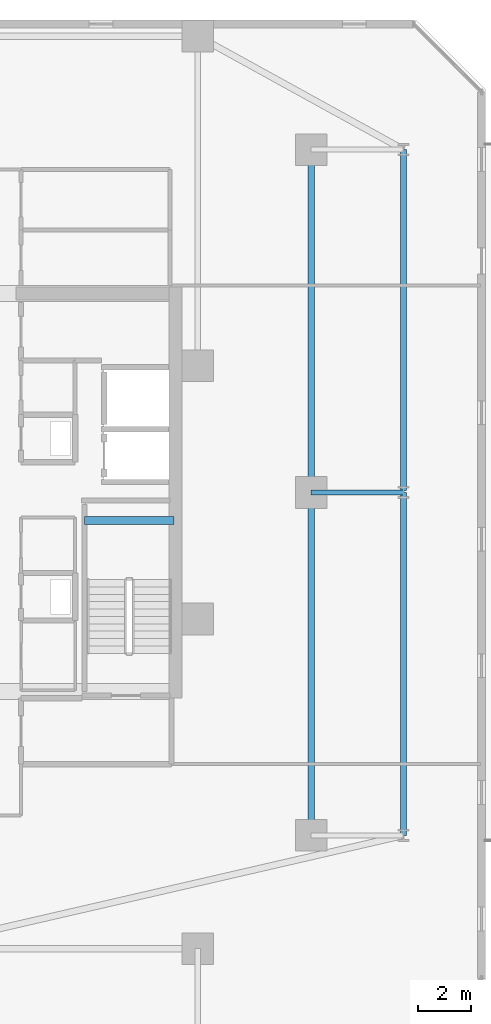
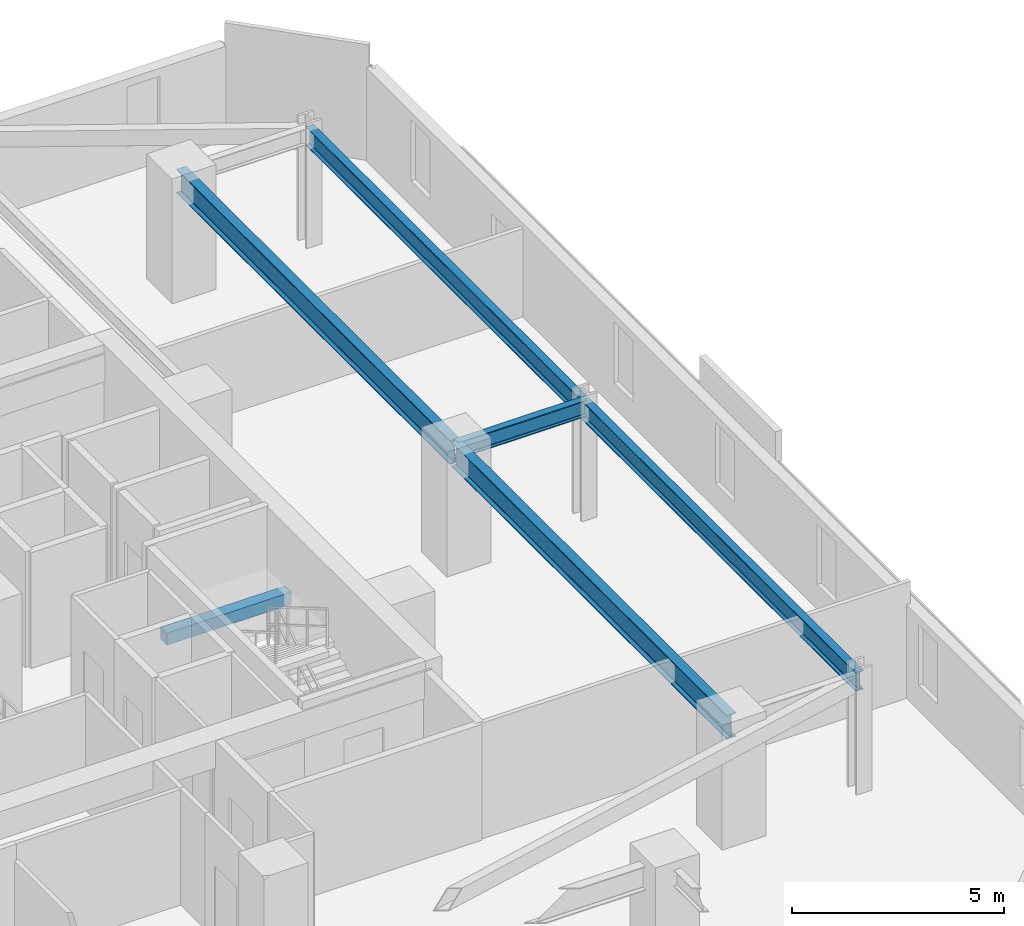
# One storey, part 13 of 33: 6 beams.
"""IFC4 building model written with IfcOpenShell, lengths in metres."""

from ifc_helpers import new_model, si_unit, direction, frame, origin, origin_2d, place, context, subcontext, project, spatial, rectangle, i_section, extrude, material, material_profile, profile_set, type_object, element, save


model = new_model("IFC4")

# Units and contexts
model_context = context("Model", 3, precision=1e-05, world=origin(), true_north=direction((0.0, 1.0)))
body_context = subcontext(model_context, "Body", "Model", "MODEL_VIEW")
ifc_project = project(units=[si_unit("LENGTHUNIT", "METRE"), si_unit("AREAUNIT", "SQUARE_METRE"), si_unit("VOLUMEUNIT", "CUBIC_METRE"), si_unit("PLANEANGLEUNIT", "RADIAN"), si_unit("MASSUNIT", "GRAM", prefix="KILO")], contexts=[model_context])

# Site, building, storey
site_placement = place(None, origin())
site = spatial("IfcSite", under=ifc_project, at=site_placement, CompositionType="ELEMENT")
building_placement = place(site_placement, origin())
building = spatial("IfcBuilding", under=site, at=building_placement, Name="Thornwick Lancets Civic Towers", CompositionType="ELEMENT")
storey_placement = place(building_placement, frame((0.0, 0.0, 130.5)))
storey = spatial("IfcBuildingStorey", under=building, at=storey_placement, Name="L34", CompositionType="ELEMENT", Elevation=130.5)

# Beams
ifc_material_1 = material(Name="Steel S355JR", Category="steel")
ifc_material_profile_1 = material_profile(ifc_material_1, i_section(OverallWidth=0.2119140625, OverallDepth=0.54443359375, WebThickness=0.0126953125, FlangeThickness=0.021240234375, FilletRadius=0.0126953125, at=origin_2d()), Name="UKB 533x210x122")
ifc_profile_set_1 = profile_set([ifc_material_profile_1], Name="Steel S355JR")
beam_type_1 = type_object("IfcBeamType", Name="BM_EDGE_533_122", PredefinedType="SPANDREL", material=ifc_profile_set_1)
beam_1_placement = place(storey_placement, frame((109.300048828125, 14.0, 3.087646484375), z_axis=(0.0, 1.0, 0.0), x_axis=(-1.0, 0.0, 0.0)))
element("IfcBeam", 1, at=beam_1_placement, inside=storey, type_object=beam_type_1, Name="BM-EDGE-L34-B-S0-1", PredefinedType="SPANDREL", context=body_context, shape_type="SweptSolid", body=[
    extrude(i_section(OverallWidth=0.2119140625, OverallDepth=0.54443359375, WebThickness=0.0126953125, FlangeThickness=0.021240234375, FilletRadius=0.0126953125, at=origin_2d()), origin(), (0.0, 0.0, 1.0), 13.0),
])
beam_2_placement = place(storey_placement, frame((109.300048828125, 27.080078125, 3.087646484375), z_axis=(0.0, 1.0, 0.0), x_axis=(-1.0, 0.0, 0.0)))
element("IfcBeam", 2, at=beam_2_placement, inside=storey, type_object=beam_type_1, Name="BM-EDGE-L34-B-S0-2", PredefinedType="SPANDREL", context=body_context, shape_type="SweptSolid", body=[
    extrude(i_section(OverallWidth=0.2119140625, OverallDepth=0.54443359375, WebThickness=0.0126953125, FlangeThickness=0.021240234375, FilletRadius=0.0126953125, at=origin_2d()), origin(), (0.0, 0.0, 1.0), 12.919921875),
])
ifc_material_profile_2 = material_profile(ifc_material_1, i_section(OverallWidth=0.255859375, OverallDepth=0.69287109375, WebThickness=0.014404296875, FlangeThickness=0.023681640625, FilletRadius=0.01513671875, at=origin_2d()), Name="UKB 686x254x170")
ifc_profile_set_2 = profile_set([ifc_material_profile_2], Name="Steel S355JR")
beam_type_2 = type_object("IfcBeamType", Name="BM_GIRD_686_170", PredefinedType="BEAM", material=ifc_profile_set_2)
beam_3_placement = place(storey_placement, frame((105.800048828125, 14.0, 3.013671875), z_axis=(0.0, 1.0, 0.0), x_axis=(-1.0, 0.0, 0.0)))
element("IfcBeam", 3, at=beam_3_placement, inside=storey, type_object=beam_type_2, Name="BM-SPINE-L34-B-0-1", PredefinedType="BEAM", context=body_context, shape_type="SweptSolid", body=[
    extrude(i_section(OverallWidth=0.255859375, OverallDepth=0.69287109375, WebThickness=0.014404296875, FlangeThickness=0.023681640625, FilletRadius=0.01513671875, at=origin_2d()), origin(), (0.0, 0.0, 1.0), 13.0),
])
beam_4_placement = place(storey_placement, frame((105.800048828125, 27.080078125, 3.013671875), z_axis=(0.0, 1.0, 0.0), x_axis=(-1.0, 0.0, 0.0)))
element("IfcBeam", 4, at=beam_4_placement, inside=storey, type_object=beam_type_2, Name="BM-SPINE-L34-B-1-2", PredefinedType="BEAM", context=body_context, shape_type="SweptSolid", body=[
    extrude(i_section(OverallWidth=0.255859375, OverallDepth=0.69287109375, WebThickness=0.014404296875, FlangeThickness=0.023681640625, FilletRadius=0.01513671875, at=origin_2d()), origin(), (0.0, 0.0, 1.0), 12.919921875),
])
ifc_material_profile_3 = material_profile(ifc_material_1, i_section(OverallWidth=0.19287109375, OverallDepth=0.46728515625, WebThickness=0.011474609375, FlangeThickness=0.01953125, FilletRadius=0.01025390625, at=origin_2d()), Name="UKB 457x191x98")
ifc_profile_set_3 = profile_set([ifc_material_profile_3], Name="Steel S355JR")
beam_type_3 = type_object("IfcBeamType", Name="BM_JOIST_457_98", PredefinedType="JOIST", material=ifc_profile_set_3)
beam_5_placement = place(storey_placement, frame((105.800048828125, 27.0, 3.12646484375), z_axis=(1.0, 0.0, 0.0), x_axis=(0.0, 1.0, 0.0)))
element("IfcBeam", 5, at=beam_5_placement, inside=storey, type_object=beam_type_3, Name="BM-RAD-L34-B02", PredefinedType="JOIST", context=body_context, shape_type="SweptSolid", body=[
    extrude(i_section(OverallWidth=0.19287109375, OverallDepth=0.46728515625, WebThickness=0.011474609375, FlangeThickness=0.01953125, FilletRadius=0.01025390625, at=origin_2d()), origin(), (0.0, 0.0, 1.0), 3.5),
])
ifc_material_2 = material(Name="Concrete C40/50", Category="concrete")
ifc_material_profile_4 = material_profile(ifc_material_2, rectangle(XDim=0.300048828125, YDim=0.35009765625, at=origin_2d()), Name="RC 300x350")
ifc_profile_set_4 = profile_set([ifc_material_profile_4], Name="Concrete C40/50")
beam_type_4 = type_object("IfcBeamType", Name="BM_STAIR_LDG", PredefinedType="BEAM", material=ifc_profile_set_4)
beam_6_placement = place(storey_placement, frame((100.60009765625, 25.93505859375, 1.3779296875), z_axis=(-1.0, 0.0, 0.0), x_axis=(0.0, -1.0, 0.0)))
element("IfcBeam", 6, at=beam_6_placement, inside=storey, type_object=beam_type_4, Name="L34 ST-B1 Landing Support Beam 1", PredefinedType="BEAM", context=body_context, shape_type="SweptSolid", body=[
    extrude(rectangle(XDim=0.300048828125, YDim=0.35009765625, at=origin_2d()), origin(), (0.0, 0.0, 1.0), 3.400146484375),
])

save(model, "model.ifc")
